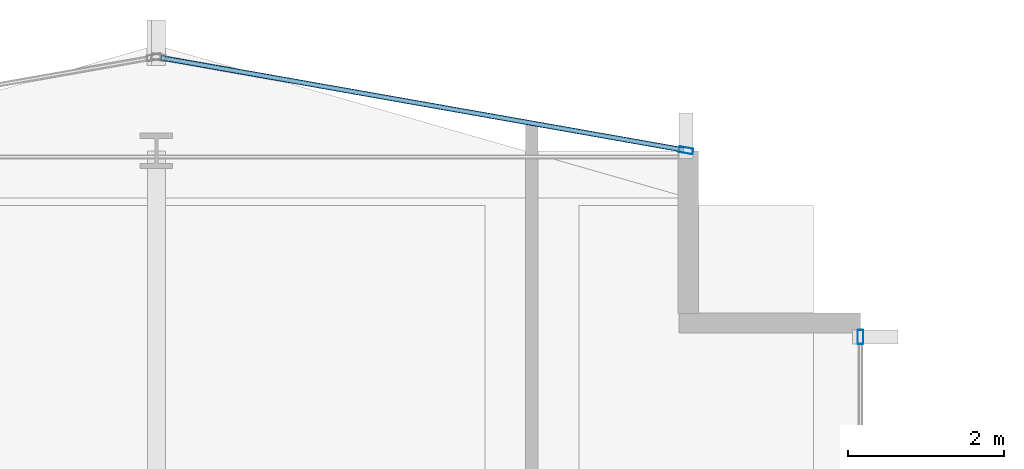
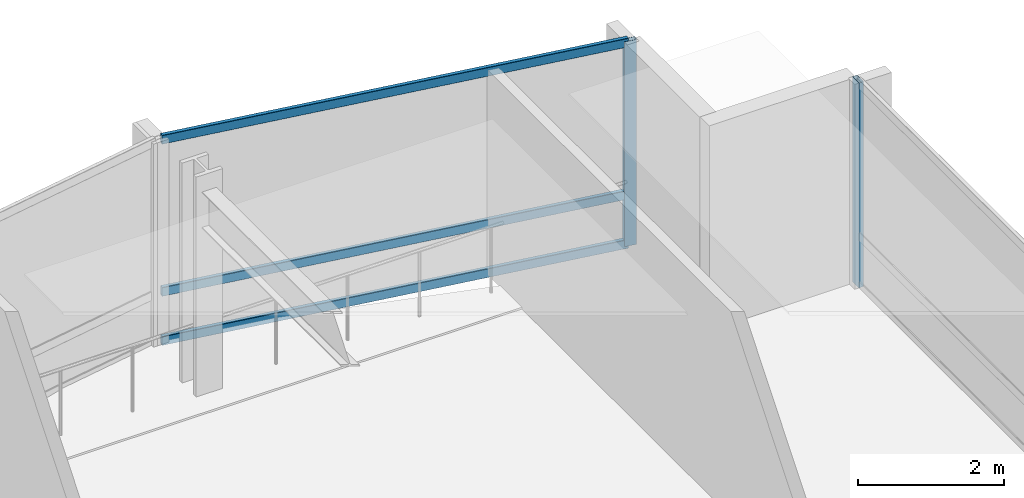
# One storey, part 20 of 29: 5 members, 2 elements without a shape of their own.
"""IFC4 building model written with IfcOpenShell, lengths in metres."""

from ifc_helpers import new_model, si_unit, direction, frame, origin, origin_2d, place, context, subcontext, project, spatial, hollow_rectangle, extrude, material, layer, layer_set, material_profile, profile_set, type_object, element, aggregate, save


model = new_model("IFC4")

# Units and contexts
model_context = context("Model", 3, precision=1e-05, world=origin(), true_north=direction((0.0, 1.0)))
body_context = subcontext(model_context, "Body", "Model", "MODEL_VIEW")
ifc_project = project(units=[si_unit("LENGTHUNIT", "METRE"), si_unit("AREAUNIT", "SQUARE_METRE"), si_unit("VOLUMEUNIT", "CUBIC_METRE"), si_unit("PLANEANGLEUNIT", "RADIAN"), si_unit("MASSUNIT", "GRAM", prefix="KILO")], contexts=[model_context])

# Site, building, storey
site_placement = place(None, origin())
site = spatial("IfcSite", under=ifc_project, at=site_placement, CompositionType="ELEMENT")
building_placement = place(site_placement, origin())
building = spatial("IfcBuilding", under=site, at=building_placement, Name="Solvaryn Broadcast Tower", CompositionType="ELEMENT")
storey_placement = place(building_placement, frame((0.0, 0.0, 124.800048828125)))
storey = spatial("IfcBuildingStorey", under=building, at=storey_placement, Name="L30", CompositionType="ELEMENT", Elevation=124.800048828125)

# Curtain wall, member
ifc_material_1 = material(Name="Aluminium and Terracotta Unitised Curtain Wall", Category="masonry")
ifc_layer = layer(ifc_material_1, 0.199951171875)
ifc_layer_set = layer_set([ifc_layer], Name="CW-SYS2-LOWMID")
curtain_wall_type = type_object("IfcCurtainWallType", Name="CW-SYS2-LOWMID", PredefinedType="NOTDEFINED", material=ifc_layer_set)
curtain_wall_1_placement = place(storey_placement, origin())
curtain_wall_1 = element("IfcCurtainWall", 1, at=curtain_wall_1_placement, inside=storey, type_object=curtain_wall_type, Name="L30 Curtain Wall IV", PredefinedType="NOTDEFINED")
ifc_material_2 = material(Name="Anodised Aluminium 6063-T6", Category="aluminium")
ifc_material_profile_1 = material_profile(ifc_material_2, hollow_rectangle(XDim=0.074951171875, YDim=0.179931640625, WallThickness=0.00390625, InnerFilletRadius=0.00390625, OuterFilletRadius=0.008056640625, at=origin_2d()))
ifc_profile_set_1 = profile_set([ifc_material_profile_1], Name="Anodised Aluminium 6063-T6")
member_type_1 = type_object("IfcMemberType", Name="CW-MUL-180", PredefinedType="MULLION", material=ifc_profile_set_1)
member_1_placement = place(storey_placement, frame((27.0, 51.6201171875, 0.0), z_axis=(0.0, 0.0, 1.0), x_axis=(1.0, 0.0, 0.0)))
member_1 = element("IfcMember", 2, at=member_1_placement, type_object=member_type_1, Name="CWS2 mullion 1", PredefinedType="MULLION", context=body_context, shape_type="SweptSolid", body=[
    extrude(hollow_rectangle(XDim=0.074951171875, YDim=0.179931640625, WallThickness=0.00390625, InnerFilletRadius=0.00390625, OuterFilletRadius=0.008056640625, at=origin_2d()), origin(), (0.0, 0.0, 1.0), 3.419921875),
])
aggregate(curtain_wall_1, [member_1])

# Curtain wall, members
curtain_wall_2_placement = place(storey_placement, origin())
curtain_wall_2 = element("IfcCurtainWall", 3, at=curtain_wall_2_placement, inside=storey, type_object=curtain_wall_type, Name="L30 Curtain Wall NT1", PredefinedType="NOTDEFINED")
member_2_placement = place(storey_placement, frame((24.7705078125, 54.005126953125, 0.0), z_axis=(0.0, 0.0, 1.0), x_axis=(-0.173785333901, -0.984783558819, 0.0)))
member_2 = element("IfcMember", 4, at=member_2_placement, type_object=member_type_1, Name="CWS2 mullion 1", PredefinedType="MULLION", context=body_context, shape_type="SweptSolid", body=[
    extrude(hollow_rectangle(XDim=0.074951171875, YDim=0.179931640625, WallThickness=0.00390625, InnerFilletRadius=0.00390625, OuterFilletRadius=0.008056640625, at=origin_2d()), origin(), (0.0, 0.0, 1.0), 3.419921875),
])
ifc_material_3 = material(Name="Anodised Aluminium 6063-T6", Category="aluminium")
ifc_material_profile_2 = material_profile(ifc_material_3, hollow_rectangle(XDim=0.06494140625, YDim=0.14990234375, WallThickness=0.00390625, InnerFilletRadius=0.00390625, OuterFilletRadius=0.008056640625, at=origin_2d()))
ifc_profile_set_2 = profile_set([ifc_material_profile_2], Name="Anodised Aluminium 6063-T6")
member_type_2 = type_object("IfcMemberType", Name="CW-TRN-150", PredefinedType="USERDEFINED", material=ifc_profile_set_2)
member_3_placement = place(storey_placement, frame((24.740966796875, 54.010498046875, 0.030029296875), z_axis=(-0.984788629673, 0.173756596613, 0.0), x_axis=(-0.173756596613, -0.984788629673, 0.0)))
member_3 = element("IfcMember", 5, at=member_3_placement, type_object=member_type_2, Name="CWS2 transom 1.1", ObjectType="TRANSOM", PredefinedType="USERDEFINED", context=body_context, shape_type="SweptSolid", body=[
    extrude(hollow_rectangle(XDim=0.06494140625, YDim=0.14990234375, WallThickness=0.00390625, InnerFilletRadius=0.00390625, OuterFilletRadius=0.008056640625, at=origin_2d()), origin(), (0.0, 0.0, 1.0), 6.78515625),
])
member_4_placement = place(storey_placement, frame((24.740966796875, 54.010498046875, 0.849853515625), z_axis=(-0.984788629673, 0.173756596613, 0.0), x_axis=(-0.173756596613, -0.984788629673, 0.0)))
member_4 = element("IfcMember", 6, at=member_4_placement, type_object=member_type_2, Name="CWS2 transom 1.2", ObjectType="TRANSOM", PredefinedType="USERDEFINED", context=body_context, shape_type="SweptSolid", body=[
    extrude(hollow_rectangle(XDim=0.06494140625, YDim=0.14990234375, WallThickness=0.00390625, InnerFilletRadius=0.00390625, OuterFilletRadius=0.008056640625, at=origin_2d()), origin(), (0.0, 0.0, 1.0), 6.78515625),
])
member_5_placement = place(storey_placement, frame((24.740966796875, 54.010498046875, 3.389892578125), z_axis=(-0.984788629673, 0.173756596613, 0.0), x_axis=(-0.173756596613, -0.984788629673, 0.0)))
member_5 = element("IfcMember", 7, at=member_5_placement, type_object=member_type_2, Name="CWS2 transom 1.3", ObjectType="TRANSOM", PredefinedType="USERDEFINED", context=body_context, shape_type="SweptSolid", body=[
    extrude(hollow_rectangle(XDim=0.06494140625, YDim=0.14990234375, WallThickness=0.00390625, InnerFilletRadius=0.00390625, OuterFilletRadius=0.008056640625, at=origin_2d()), origin(), (0.0, 0.0, 1.0), 6.78515625),
])
aggregate(curtain_wall_2, [member_2, member_3, member_4, member_5])

save(model, "model.ifc")
